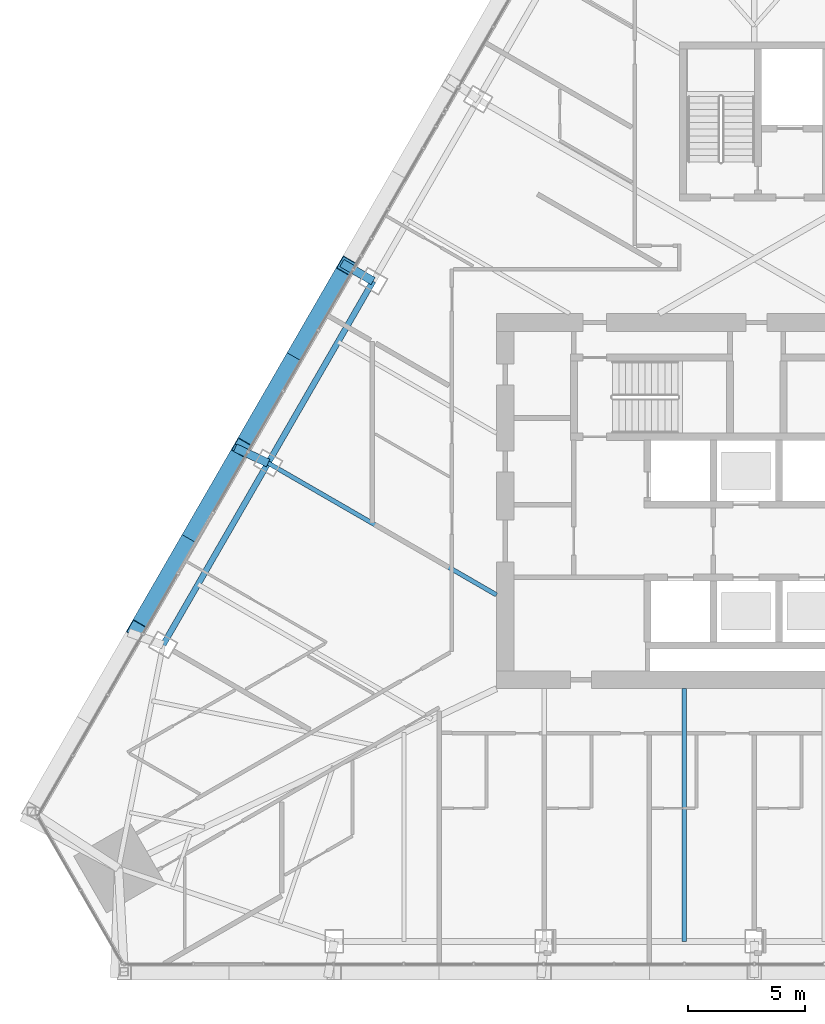
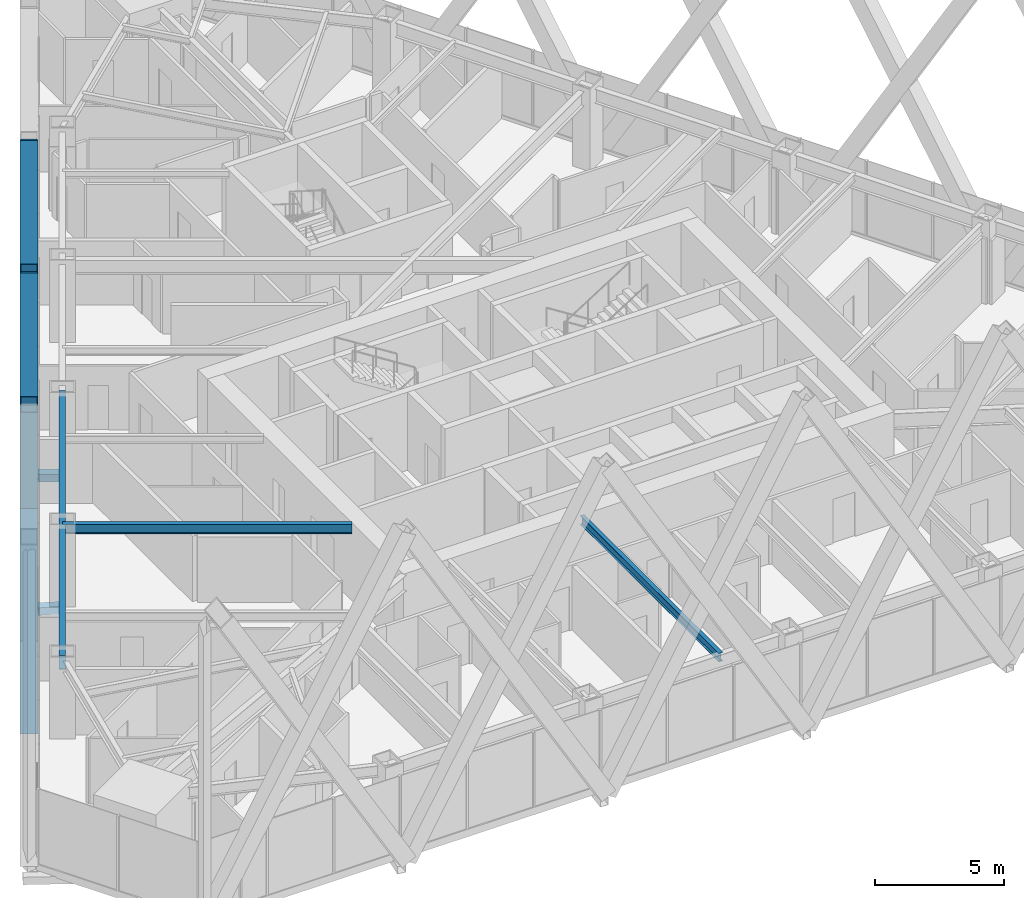
# One storey, part 4 of 24: 6 members, 3 beams.
"""IFC4 building model written with IfcOpenShell, lengths in metres."""

from ifc_helpers import new_model, si_unit, direction, frame, origin, origin_2d, place, context, subcontext, project, spatial, hollow_rectangle, i_section, extrude, material, material_profile, profile_set, type_object, element, save


model = new_model("IFC4")

# Units and contexts
model_context = context("Model", 3, precision=1e-05, world=origin(), true_north=direction((0.0, 1.0)))
body_context = subcontext(model_context, "Body", "Model", "MODEL_VIEW")
ifc_project = project(units=[si_unit("LENGTHUNIT", "METRE"), si_unit("AREAUNIT", "SQUARE_METRE"), si_unit("VOLUMEUNIT", "CUBIC_METRE"), si_unit("PLANEANGLEUNIT", "RADIAN"), si_unit("MASSUNIT", "GRAM", prefix="KILO")], contexts=[model_context])

# Site, building, storey
site_placement = place(None, origin())
site = spatial("IfcSite", under=ifc_project, at=site_placement, CompositionType="ELEMENT")
building_placement = place(site_placement, origin())
building = spatial("IfcBuilding", under=site, at=building_placement, Name="Firuza Gate Tower and Library", CompositionType="ELEMENT")
storey_placement = place(building_placement, frame((0.0, 0.0, 171.39990234375)))
storey = spatial("IfcBuildingStorey", under=building, at=storey_placement, Name="L39", CompositionType="ELEMENT", Elevation=171.39990234375)

# Members
ifc_material_1 = material(Name="Steel S355", Category="steel")
ifc_material_profile_1 = material_profile(ifc_material_1, hollow_rectangle(XDim=0.699951171875, YDim=0.699951171875, WallThickness=0.030029296875, at=origin_2d()))
ifc_profile_set_1 = profile_set([ifc_material_profile_1], Name="Steel S355")
member_type_1 = type_object("IfcMemberType", Name="BU700x700x30 Lattice brace", PredefinedType="BRACE", material=ifc_profile_set_1)
for number, where, z_axis, x_axis, name in (
    (1, (57.610595703125, 85.039794921875, 0.0), (-0.249065574789, -0.43139340866, 0.867102108416), (0.866024991597, -0.500000713928, 0.0), "Lattice brace W 9.4R"),
    (2, (53.129638671875, 77.278564453125, 0.0), (0.249065574789, 0.43139340866, 0.867102108416), (-0.866024991597, 0.500000713928, 0.0), "Lattice brace W 9.4L"),
):
    element("IfcMember", number, at=place(storey_placement, frame(where, z_axis=z_axis, x_axis=x_axis)), inside=storey, type_object=member_type_1, Name=name, PredefinedType="BRACE", context=body_context, shape_type="SweptSolid", body=[
        extrude(hollow_rectangle(XDim=0.699951171875, YDim=0.699951171875, WallThickness=0.030029296875, at=origin_2d()), origin(), (0.0, 0.0, 1.0), 17.990966796875),
    ])
for number, where, z_axis, x_axis, name in (
    (3, (53.129638671875, 77.278564453125, 0.0), (-0.249064116736, -0.431404453262, 0.867097032321), (0.86603180189, -0.499988917992, 0.0), "Lattice brace W 9.5R"),
    (4, (48.648681640625, 69.51708984375, 0.0), (0.249064116736, 0.431404453262, 0.867097032321), (-0.86603180189, 0.499988917992, 0.0), "Lattice brace W 9.5L"),
):
    element("IfcMember", number, at=place(storey_placement, frame(where, z_axis=z_axis, x_axis=x_axis)), inside=storey, type_object=member_type_1, Name=name, PredefinedType="BRACE", context=body_context, shape_type="SweptSolid", body=[
        extrude(hollow_rectangle(XDim=0.699951171875, YDim=0.699951171875, WallThickness=0.030029296875, at=origin_2d()), origin(), (0.0, 0.0, 1.0), 17.9912109375),
    ])
ifc_material_2 = material(Name="Steel S355", Category="steel")
ifc_material_profile_2 = material_profile(ifc_material_2, hollow_rectangle(XDim=0.355712890625, YDim=0.355712890625, WallThickness=0.014892578125, at=origin_2d()))
ifc_profile_set_2 = profile_set([ifc_material_profile_2], Name="Steel S355")
member_type_2 = type_object("IfcMemberType", Name="HSS356x356x16 Lattice node tie", PredefinedType="BRACE", material=ifc_profile_set_2)
member_1_placement = place(storey_placement, frame((54.255615234375, 76.62841796875, -0.31982421875), z_axis=(-0.907213573274, 0.420670337042, 0.0), x_axis=(-0.420670337042, -0.907213573274, 0.0)))
element("IfcMember", 5, at=member_1_placement, inside=storey, type_object=member_type_2, Name="Lattice node tie W L39 196", PredefinedType="BRACE", context=body_context, shape_type="SweptSolid", body=[
    extrude(hollow_rectangle(XDim=0.355712890625, YDim=0.355712890625, WallThickness=0.014892578125, at=origin_2d()), origin(), (0.0, 0.0, 1.0), 1.54541015625),
])
member_2_placement = place(storey_placement, frame((58.736572265625, 84.3896484375, -0.31982421875), z_axis=(-0.866048237946, 0.499960447986, 0.0), x_axis=(-0.499960447986, -0.866048237946, 0.0)))
element("IfcMember", 6, at=member_2_placement, inside=storey, type_object=member_type_2, Name="Lattice node tie W L39 197", PredefinedType="BRACE", context=body_context, shape_type="SweptSolid", body=[
    extrude(hollow_rectangle(XDim=0.355712890625, YDim=0.355712890625, WallThickness=0.014892578125, at=origin_2d()), origin(), (0.0, 0.0, 1.0), 1.5390625),
])

# Beams
ifc_material_3 = material(Name="Steel S355", Category="steel")
ifc_material_profile_3 = material_profile(ifc_material_3, i_section(OverallWidth=0.177978515625, OverallDepth=0.406982421875, WebThickness=0.0078125, FlangeThickness=0.0126953125, at=origin_2d()))
ifc_profile_set_3 = profile_set([ifc_material_profile_3], Name="Steel S355")
beam_type_1 = type_object("IfcBeamType", Name="W410x60 Floor beam", PredefinedType="JOIST", material=ifc_profile_set_3)
beam_1_placement = place(storey_placement, frame((72.0126953125, 56.220458984375, 3.49658203125), z_axis=(0.0, 1.0, 0.0), x_axis=(-1.0, 0.0, 0.0)))
element("IfcBeam", 7, at=beam_1_placement, inside=storey, type_object=beam_type_1, Name="Floor beam L39 s22", PredefinedType="JOIST", context=body_context, shape_type="SweptSolid", body=[
    extrude(i_section(OverallWidth=0.177978515625, OverallDepth=0.406982421875, WebThickness=0.0078125, FlangeThickness=0.0126953125, at=origin_2d()), origin(), (0.0, 0.0, 1.0), 10.779541015625),
])
ifc_material_4 = material(Name="Steel S355", Category="steel")
ifc_material_profile_4 = material_profile(ifc_material_4, i_section(OverallWidth=0.18994140625, OverallDepth=0.45703125, WebThickness=0.009033203125, FlangeThickness=0.014404296875, at=origin_2d()))
ifc_profile_set_4 = profile_set([ifc_material_profile_4], Name="Steel S355")
beam_type_2 = type_object("IfcBeamType", Name="W460x74 Floor beam", PredefinedType="JOIST", material=ifc_profile_set_4)
beam_2_placement = place(storey_placement, frame((54.255615234375, 76.62841796875, 3.4716796875), z_axis=(0.866023348946, -0.500003559068, 0.0), x_axis=(0.500003559068, 0.866023348946, 0.0)))
element("IfcBeam", 8, at=beam_2_placement, inside=storey, type_object=beam_type_2, Name="Floor beam L39 s84", PredefinedType="JOIST", context=body_context, shape_type="SweptSolid", body=[
    extrude(i_section(OverallWidth=0.18994140625, OverallDepth=0.45703125, WebThickness=0.009033203125, FlangeThickness=0.014404296875, at=origin_2d()), origin(), (0.0, 0.0, 1.0), 11.251953125),
])
ifc_material_5 = material(Name="Steel S355", Category="steel")
ifc_material_profile_5 = material_profile(ifc_material_5, i_section(OverallWidth=0.2529296875, OverallDepth=0.677978515625, WebThickness=0.01171875, FlangeThickness=0.016357421875, at=origin_2d()))
ifc_profile_set_5 = profile_set([ifc_material_profile_5], Name="Steel S355")
beam_type_3 = type_object("IfcBeamType", Name="W690x125 Edge beam", PredefinedType="SPANDREL", material=ifc_profile_set_5)
beam_3_placement = place(storey_placement, frame((58.736572265625, 84.3896484375, 3.361083984375), z_axis=(-0.500000713928, -0.866024991597, 0.0), x_axis=(0.866024991597, -0.500000713928, 0.0)))
element("IfcBeam", 9, at=beam_3_placement, inside=storey, type_object=beam_type_3, Name="Edge beam L39 e82", PredefinedType="SPANDREL", context=body_context, shape_type="SweptSolid", body=[
    extrude(i_section(OverallWidth=0.2529296875, OverallDepth=0.677978515625, WebThickness=0.01171875, FlangeThickness=0.016357421875, at=origin_2d()), origin(), (0.0, 0.0, 1.0), 17.923828125),
])

save(model, "model.ifc")
